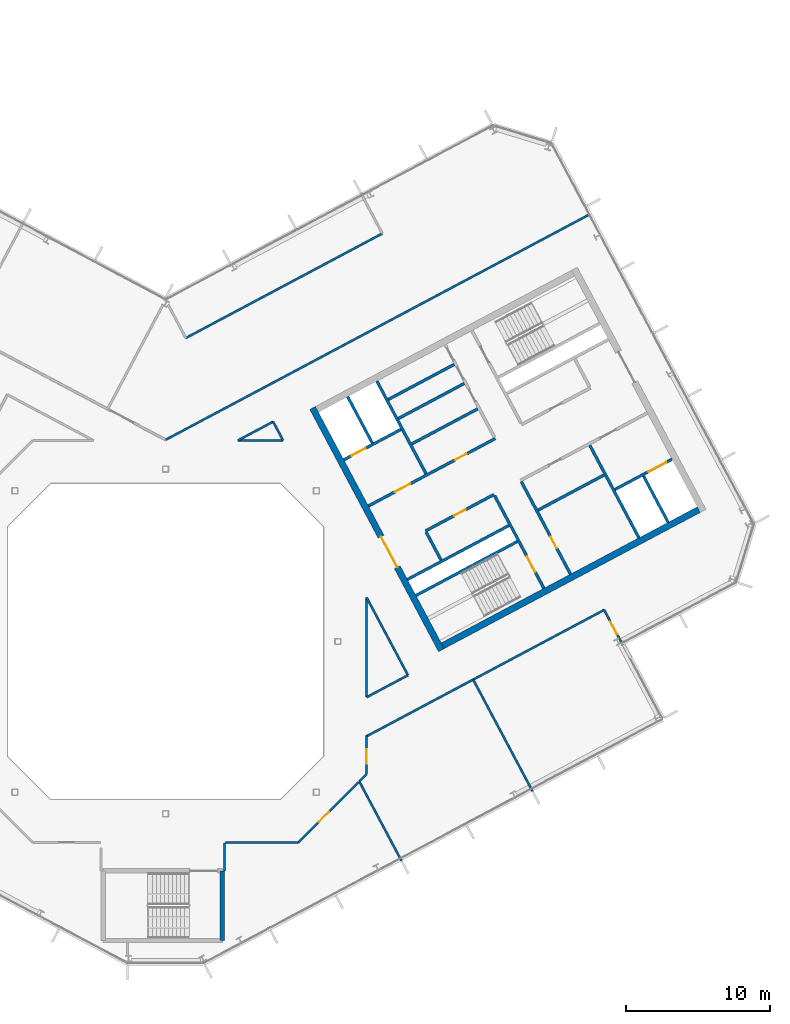
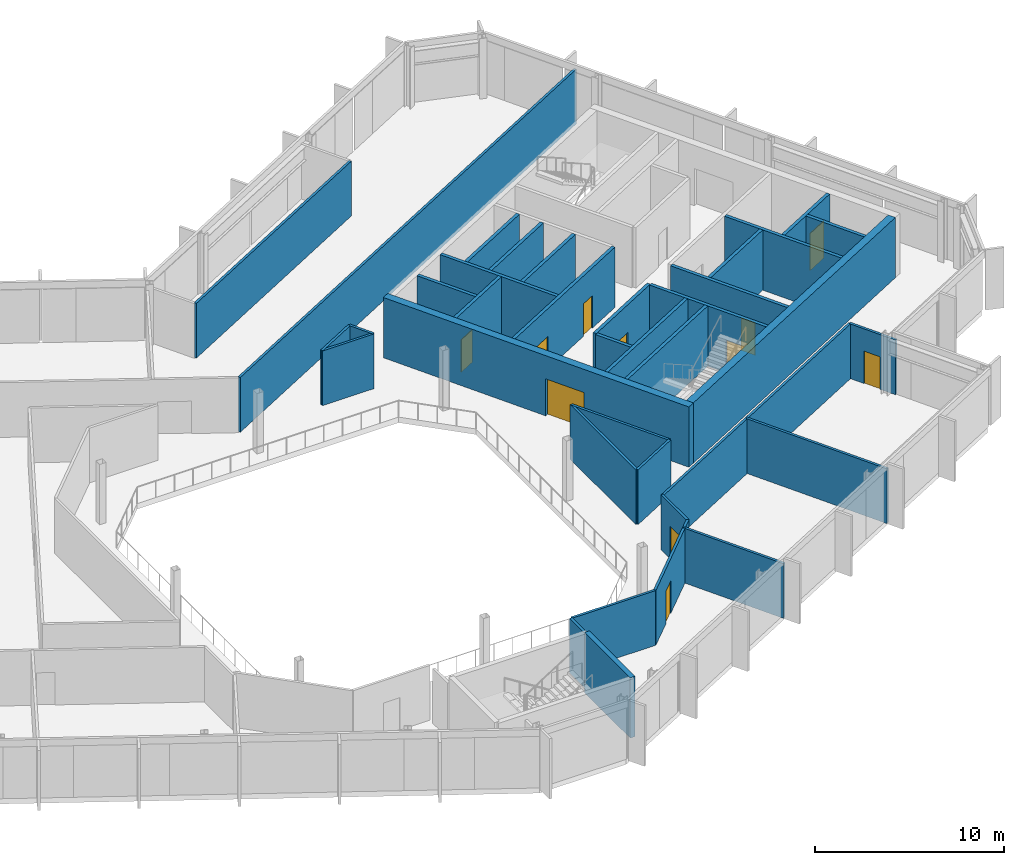
# One storey, part 15 of 25: 37 walls, 11 doors, 11 openings.
"""IFC4 building model written with IfcOpenShell, lengths in metres."""

import ifcopenshell
import ifcopenshell.guid

model = None  # the IFC model being written
_history = None  # IfcOwnerHistory: only IFC2X3 demands one
_inside = {}  # id of a spatial element -> (the spatial element, [elements in it])
_under = {}  # id of a project, library or spatial element -> (it, [spatial elements below it])
_declared = {}  # id of a project -> (the project, [libraries it declares])
_typed = {}  # id of a type object -> (the type object, [elements of that type])
_made_of = {}  # id of a material, layer set ... -> (it, [elements and type objects made of it])


def new_model(schema):
    """Start an empty IFC model of exactly this schema.

    Asked for "IFC4X3", IfcOpenShell would pick the latest addendum, in which some entities
    have other attributes; the version numbers below select the first issue.
    IFC2X3 requires an IfcOwnerHistory on every rooted entity: one is made here for all.
    """
    global model, _history
    if schema == "IFC4X3":
        model = ifcopenshell.file(schema_version=(4, 3, 0, 0))
    else:
        model = ifcopenshell.file(schema=schema)
    _inside.clear()
    _under.clear()
    _declared.clear()
    _typed.clear()
    _made_of.clear()
    _history = None
    if model.schema == "IFC2X3":
        org = make("IfcOrganization", Name="unknown")
        user = make(
            "IfcPersonAndOrganization",
            ThePerson=make("IfcPerson", FamilyName="unknown"),
            TheOrganization=org,
        )
        app = make(
            "IfcApplication",
            ApplicationDeveloper=org,
            Version="unknown",
            ApplicationFullName="unknown",
            ApplicationIdentifier="unknown",
        )
        _history = make(
            "IfcOwnerHistory",
            OwningUser=user,
            OwningApplication=app,
            ChangeAction="ADDED",
            CreationDate=0,
        )
    return model


def make(cls, **values):
    """One entity of the class cls with the attributes given. An attribute that is None is left unset."""
    return model.create_entity(
        cls, **{name: value for name, value in values.items() if value is not None}
    )


def rooted(cls, **values):
    """An entity with a GlobalId (a new one), such as an element, a storey or a relation."""
    return make(cls, GlobalId=ifcopenshell.guid.new(), OwnerHistory=_history, **values)


def si_unit(unit_type, name, prefix=None):
    """IfcSIUnit, for example si_unit("LENGTHUNIT", "METRE", prefix="MILLI")."""
    return make("IfcSIUnit", UnitType=unit_type, Prefix=prefix, Name=name)


def assignment(units):
    """IfcUnitAssignment: the units of a project."""
    return None if units is None else make("IfcUnitAssignment", Units=units)


def point(xyz):
    """IfcCartesianPoint."""
    return None if xyz is None else make("IfcCartesianPoint", Coordinates=xyz)


def direction(xyz):
    """IfcDirection."""
    return None if xyz is None else make("IfcDirection", DirectionRatios=xyz)


def frame(location, z_axis=None, x_axis=None):
    """IfcAxis2Placement3D, a coordinate frame: its origin and axes. An axis left out is left unset."""
    return make(
        "IfcAxis2Placement3D",
        Location=point(location),
        Axis=direction(z_axis),
        RefDirection=direction(x_axis),
    )


def frame_2d(location, x_axis=None):
    """IfcAxis2Placement2D, a coordinate frame in the plane: its origin and x axis."""
    return make(
        "IfcAxis2Placement2D", Location=point(location), RefDirection=direction(x_axis)
    )


def origin():
    """The frame at (0, 0, 0) with its axes left unset."""
    return frame((0.0, 0.0, 0.0))


def place(relative_to, where):
    """IfcLocalPlacement: puts the frame where relative to a parent placement (None: the world)."""
    return make(
        "IfcLocalPlacement", PlacementRelTo=relative_to, RelativePlacement=where
    )


def context(
    kind, dimensions, precision=None, world=None, true_north=None, identifier=None
):
    """IfcGeometricRepresentationContext, for example the 3D "Model" context."""
    return make(
        "IfcGeometricRepresentationContext",
        ContextIdentifier=identifier,
        ContextType=kind,
        CoordinateSpaceDimension=dimensions,
        Precision=precision,
        WorldCoordinateSystem=world,
        TrueNorth=true_north,
    )


def subcontext(parent, identifier, kind, view, scale=None):
    """IfcGeometricRepresentationSubContext, for example "Body" below "Model"."""
    return make(
        "IfcGeometricRepresentationSubContext",
        ContextIdentifier=identifier,
        ContextType=kind,
        ParentContext=parent,
        TargetScale=scale,
        TargetView=view,
    )


def project(units=None, contexts=None):
    """IfcProject with its units and contexts."""
    return rooted(
        "IfcProject",
        Name="project",
        RepresentationContexts=contexts,
        UnitsInContext=assignment(units),
    )


def spatial(cls, under=None, at=None, **own):
    """A site, building, storey or space (cls), placed at a placement, below another one or the project."""
    s = rooted(cls, ObjectPlacement=at, **own)
    if under is not None:
        _under.setdefault(under.id(), (under, []))[1].append(s)
    return s


def profile(cls, at=None, kind="AREA", **sizes):
    """A parametric profile (cls). Its sizes go by their IFC names, for example OverallWidth=200.0."""
    return make(cls, ProfileType=kind, Position=at, **sizes)


def rectangle(**sizes):
    """IfcRectangleProfileDef."""
    return profile("IfcRectangleProfileDef", **sizes)


def extrude(swept, where, along, depth):
    """IfcExtrudedAreaSolid: the profile swept, set in the frame where, extruded along a direction by depth."""
    return make(
        "IfcExtrudedAreaSolid",
        SweptArea=swept,
        Position=where,
        ExtrudedDirection=direction(along),
        Depth=depth,
    )


def shape(context_of_items, identifier, shape_type, items):
    """IfcShapeRepresentation: the items that make up one representation, for example the "Body"."""
    return make(
        "IfcShapeRepresentation",
        ContextOfItems=context_of_items,
        RepresentationIdentifier=identifier,
        RepresentationType=shape_type,
        Items=items,
    )


def material(Name=None, Category=None):
    """IfcMaterial."""
    return make("IfcMaterial", Name=Name, Category=Category)


def layer(
    of_material, thickness, ventilated=None, Name=None, Category=None, Priority=None
):
    """IfcMaterialLayer: one layer of a wall or slab, of a material (None: an air gap)."""
    return make(
        "IfcMaterialLayer",
        Material=of_material,
        LayerThickness=thickness,
        IsVentilated=ventilated,
        Name=Name,
        Category=Category,
        Priority=Priority,
    )


def layer_set(layers, Name=None):
    """IfcMaterialLayerSet."""
    return make("IfcMaterialLayerSet", MaterialLayers=layers, LayerSetName=Name)


def made_of(thing, what):
    """Note that an element or type object is made of a material, layer set ...; save() writes the relation."""
    if what is not None:
        _made_of.setdefault(what.id(), (what, []))[1].append(thing)
    return thing


def type_object(cls, material=None, **own):
    """A type object (cls), such as IfcWallType, which elements share."""
    return made_of(rooted(cls, **own), material)


def element(
    cls,
    number,
    at=None,
    inside=None,
    cuts=None,
    type_object=None,
    material=None,
    context=None,
    identifier="Body",
    shape_type=None,
    held_by="IfcProductDefinitionShape",
    body=None,
    shapes=None,
    **own,
):
    """One element of the class cls, such as IfcWall. Its Tag is "e" and its number.

    at: its placement. inside: the storey or other place that contains it. cuts: it is an
    opening in that element (IfcRelVoidsElement). A single representation is given by context,
    identifier, shape_type and body (its items); several are given by shapes. held_by: the class
    of the entity that holds the representations. save() writes the other relations.
    """
    e = rooted(cls, Tag="e%d" % number, ObjectPlacement=at, **own)
    if body is not None:
        shapes = [shape(context, identifier, shape_type, body)]
    if shapes is not None:
        e.Representation = make(held_by, Representations=shapes)
    if inside is not None:
        _inside.setdefault(inside.id(), (inside, []))[1].append(e)
    if cuts is not None:
        rooted(
            "IfcRelVoidsElement", RelatingBuildingElement=cuts, RelatedOpeningElement=e
        )
    if type_object is not None:
        _typed.setdefault(type_object.id(), (type_object, []))[1].append(e)
    return made_of(e, material)


def fill(opening, filler):
    """IfcRelFillsElement: the door or window that sits in an opening."""
    return rooted(
        "IfcRelFillsElement",
        RelatingOpeningElement=opening,
        RelatedBuildingElement=filler,
    )


def aggregate(whole, parts):
    """IfcRelAggregates: a whole, such as a stair, and the parts it consists of."""
    return rooted("IfcRelAggregates", RelatingObject=whole, RelatedObjects=parts)


def save(model, path):
    """Write the relations noted so far, then the file.

    IfcRelAggregates (storeys below a building ...), IfcRelContainedInSpatialStructure (elements
    in a storey), IfcRelDefinesByType, IfcRelAssociatesMaterial and IfcRelDeclares: one each for
    every whole, place, type object, material and project.
    """
    for whole, parts in _under.values():
        aggregate(whole, parts)
    for where, things in _inside.values():
        rooted(
            "IfcRelContainedInSpatialStructure",
            RelatedElements=things,
            RelatingStructure=where,
        )
    for kind, things in _typed.values():
        rooted("IfcRelDefinesByType", RelatedObjects=things, RelatingType=kind)
    for what, things in _made_of.values():
        rooted("IfcRelAssociatesMaterial", RelatedObjects=things, RelatingMaterial=what)
    for by, libraries in _declared.values():
        rooted("IfcRelDeclares", RelatingContext=by, RelatedDefinitions=libraries)
    model.write(path)


model = new_model("IFC4")

# Units and contexts
model_context = context("Model", 3, precision=1e-05, world=origin(), true_north=direction((0.0, 1.0)))
body_context = subcontext(model_context, "Body", "Model", "MODEL_VIEW")
ifc_project = project(units=[si_unit("LENGTHUNIT", "METRE"), si_unit("AREAUNIT", "SQUARE_METRE"), si_unit("VOLUMEUNIT", "CUBIC_METRE"), si_unit("PLANEANGLEUNIT", "RADIAN"), si_unit("MASSUNIT", "GRAM", prefix="KILO")], contexts=[model_context])

# Site, building, storey
site_placement = place(None, origin())
site = spatial("IfcSite", under=ifc_project, at=site_placement, CompositionType="ELEMENT")
building_placement = place(site_placement, origin())
building = spatial("IfcBuilding", under=site, at=building_placement, Name="Cormorant Relay Tower", CompositionType="ELEMENT")
storey_placement = place(building_placement, frame((0.0, 0.0, 265.800048828125)))
storey = spatial("IfcBuildingStorey", under=building, at=storey_placement, Name="L59", CompositionType="ELEMENT", Elevation=265.800048828125)

# Walls
ifc_material_1 = material(Name="Concrete 40 MPa", Category="concrete")
ifc_layer_1 = layer(ifc_material_1, 0.199951171875)
ifc_layer_set_1 = layer_set([ifc_layer_1], Name="Core internal wall 200")
wall_type_1 = type_object("IfcWallType", Name="Core internal wall 200", PredefinedType="SOLIDWALL", material=ifc_layer_set_1)
for number, where, z_axis, x_axis, name in (
    (1, (16.2080078125, 15.526611328125, 0.0), (0.0, 0.0, 1.0), (0.882953967957, 0.469459572775, 0.0), "L59 core B shaft and room wall"),
    (2, (15.503662109375, 16.85107421875, 0.0), (0.0, 0.0, 1.0), (0.882953967957, 0.469459572775, 0.0), "L59 core B shaft and room wall"),
):
    element("IfcWall", number, at=place(storey_placement, frame(where, z_axis=z_axis, x_axis=x_axis)), inside=storey, type_object=wall_type_1, Name=name, PredefinedType="SOLIDWALL", context=body_context, shape_type="SweptSolid", body=[
        extrude(rectangle(XDim=5.199951171875, YDim=0.199951171875, at=frame_2d((2.60009765625, 0.0))), origin(), (0.0, 0.0, 1.0), 3.89990234375),
    ])
ifc_material_2 = material(Name="Concrete 50 MPa", Category="concrete")
ifc_layer_2 = layer(ifc_material_2, 0.199951171875)
ifc_layer_set_2 = layer_set([ifc_layer_2], Name="Core shaft wall 200")
wall_type_2 = type_object("IfcWallType", Name="Core shaft wall 200", PredefinedType="SHEAR", material=ifc_layer_set_2)
wall_1_placement = place(storey_placement, frame((14.39404296875, 13.825927734375, 0.0), z_axis=(0.0, 0.0, 1.0), x_axis=(-0.469494272526, 0.882935517501, 0.0)))
element("IfcWall", 3, at=wall_1_placement, inside=storey, type_object=wall_type_2, Name="L59 core B shaft wall", PredefinedType="SHEAR", context=body_context, shape_type="SweptSolid", body=[
    extrude(rectangle(XDim=3.64990234375, YDim=0.199951171875, at=frame_2d((1.824951171875, 0.0))), origin(), (0.0, 0.0, 1.0), 3.89990234375),
])
wall_2_placement = place(storey_placement, frame((19.18359375, 5.669921875, 0.0), z_axis=(0.0, 0.0, 1.0), x_axis=(-0.4694473164, 0.882960484464, 0.0)))
element("IfcWall", 4, at=wall_2_placement, inside=storey, type_object=wall_type_2, Name="L59 core B shaft wall", PredefinedType="SHEAR", context=body_context, shape_type="SweptSolid", body=[
    extrude(rectangle(XDim=2.199951171875, YDim=0.199951171875, at=frame_2d((1.10009765625, 0.0))), origin(), (0.0, 0.0, 1.0), 3.89990234375),
])
wall_3_placement = place(storey_placement, frame((18.138427734375, 11.682861328125, 0.0), z_axis=(0.0, 0.0, 1.0), x_axis=(-0.469480409012, 0.88294288918, 0.0)))
element("IfcWall", 5, at=wall_3_placement, inside=storey, type_object=wall_type_2, Name="L59 core B shaft wall", PredefinedType="SHEAR", context=body_context, shape_type="SweptSolid", body=[
    extrude(rectangle(XDim=7.300048828125, YDim=0.199951171875, at=frame_2d((3.64990234375, 0.0))), origin(), (0.0, 0.0, 1.0), 3.89990234375),
])

# Wall, opening, door
wall_4_placement = place(storey_placement, frame((26.345947265625, 3.701904296875, 0.0), z_axis=(0.0, 0.0, 1.0), x_axis=(-0.469480409012, 0.88294288918, 0.0)))
wall_4 = element("IfcWall", 6, at=wall_4_placement, inside=storey, type_object=wall_type_2, Name="L59 core B shaft wall", PredefinedType="SHEAR", context=body_context, shape_type="SweptSolid", body=[
    extrude(rectangle(XDim=7.300048828125, YDim=0.199951171875, at=frame_2d((3.64990234375, 0.0))), origin(), (0.0, 0.0, 1.0), 3.89990234375),
])
opening_1_placement = place(wall_4_placement, frame((1.300048828125, 0.0, 0.0)))
opening_1 = element("IfcOpeningElement", 7, at=opening_1_placement, cuts=wall_4, Name="Opening CDB-040", PredefinedType="OPENING", context=body_context, shape_type="SweptSolid", body=[
    extrude(rectangle(XDim=1.199951171875, YDim=2.10009765625, at=frame_2d((0.60009765625, 1.050048828125))), frame((0.0, 0.10986328125, 0.0), z_axis=(0.0, -1.0, 0.0), x_axis=(1.0, 0.0, 0.0)), (0.0, 0.0, 1.0), 0.219970703125),
])
ifc_material_3 = material(Name="Steel fire door", Category="steel")
door_type_1 = type_object("IfcDoorType", Name="Core stair door 1200x2100", OperationType="SINGLE_SWING_LEFT", PredefinedType="DOOR", material=ifc_material_3)
door_1_placement = place(opening_1_placement, origin())
door_1 = element("IfcDoor", 8, at=door_1_placement, inside=storey, type_object=door_type_1, Name="Core stair door 1200x2100", OperationType="SINGLE_SWING_RIGHT", OverallHeight=2.10009765625, OverallWidth=1.199951171875, PredefinedType="DOOR", context=body_context, shape_type="SweptSolid", body=[
    extrude(rectangle(XDim=1.199951171875, YDim=2.10009765625, at=frame_2d((0.60009765625, 1.050048828125))), frame((0.0, 0.02490234375, 0.0), z_axis=(0.0, -1.0, 0.0), x_axis=(1.0, 0.0, 0.0)), (0.0, 0.0, 1.0), 0.050048828125),
])
fill(opening_1, door_1)

wall_5_placement = place(storey_placement, frame((28.199951171875, 4.687744140625, 0.0), z_axis=(0.0, 0.0, 1.0), x_axis=(-0.469454336211, 0.882956752176, 0.0)))
wall_5 = element("IfcWall", 9, at=wall_5_placement, inside=storey, type_object=wall_type_2, Name="L59 core B shaft wall", PredefinedType="SHEAR", context=body_context, shape_type="SweptSolid", body=[
    extrude(rectangle(XDim=7.300048828125, YDim=0.199951171875, at=frame_2d((3.64990234375, 0.0))), origin(), (0.0, 0.0, 1.0), 3.89990234375),
])
opening_2_placement = place(wall_5_placement, frame((2.050048828125, 0.0, 0.0)))
opening_2 = element("IfcOpeningElement", 10, at=opening_2_placement, cuts=wall_5, Name="Opening CDD-317", PredefinedType="OPENING", context=body_context, shape_type="SweptSolid", body=[
    extrude(rectangle(XDim=0.89990234375, YDim=2.10009765625, at=frame_2d((0.449951171875, 1.050048828125))), frame((0.0, 0.10986328125, 0.0), z_axis=(0.0, -1.0, 0.0), x_axis=(1.0, 0.0, 0.0)), (0.0, 0.0, 1.0), 0.219970703125),
])
ifc_material_4 = material(Name="Steel fire door", Category="steel")
door_type_2 = type_object("IfcDoorType", Name="Core room door 900x2100", OperationType="SINGLE_SWING_LEFT", PredefinedType="DOOR", material=ifc_material_4)
door_2_placement = place(opening_2_placement, frame((0.89990234375, 0.0, 0.0), z_axis=(0.0, 0.0, 1.0), x_axis=(-1.0, 0.0, 0.0)))
door_2 = element("IfcDoor", 11, at=door_2_placement, inside=storey, type_object=door_type_2, Name="Core room door 900x2100", OperationType="SINGLE_SWING_LEFT", OverallHeight=2.10009765625, OverallWidth=0.89990234375, PredefinedType="DOOR", context=body_context, shape_type="SweptSolid", body=[
    extrude(rectangle(XDim=0.89990234375, YDim=2.10009765625, at=frame_2d((0.449951171875, 1.050048828125))), frame((0.0, 0.02490234375, 0.0), z_axis=(0.0, -1.0, 0.0), x_axis=(1.0, 0.0, 0.0)), (0.0, 0.0, 1.0), 0.050048828125),
])
fill(opening_2, door_2)

# Walls
wall_6_placement = place(storey_placement, frame((32.968017578125, 7.222900390625, 0.0), z_axis=(0.0, 0.0, 1.0), x_axis=(-0.469480409012, 0.88294288918, 0.0)))
element("IfcWall", 12, at=wall_6_placement, inside=storey, type_object=wall_type_2, Name="L59 core B shaft wall", PredefinedType="SHEAR", context=body_context, shape_type="SweptSolid", body=[
    extrude(rectangle(XDim=7.300048828125, YDim=0.199951171875, at=frame_2d((3.64990234375, 0.0))), origin(), (0.0, 0.0, 1.0), 3.89990234375),
])
wall_7_placement = place(storey_placement, frame((34.998779296875, 8.302734375, 0.0), z_axis=(0.0, 0.0, 1.0), x_axis=(-0.4694665462, 0.882950260207, 0.0)))
element("IfcWall", 13, at=wall_7_placement, inside=storey, type_object=wall_type_2, Name="L59 core B shaft wall", PredefinedType="SHEAR", context=body_context, shape_type="SweptSolid", body=[
    extrude(rectangle(XDim=3.650146484375, YDim=0.199951171875, at=frame_2d((1.8251953125, 0.0))), origin(), (0.0, 0.0, 1.0), 3.89990234375),
])
wall_8_placement = place(storey_placement, frame((17.43359375, 3.210205078125, 0.0), z_axis=(0.0, 0.0, 1.0), x_axis=(0.882940221191, 0.469485426614, 0.0)))
element("IfcWall", 14, at=wall_8_placement, inside=storey, type_object=wall_type_2, Name="L59 core B shaft wall", PredefinedType="SHEAR", context=body_context, shape_type="SweptSolid", body=[
    extrude(rectangle(XDim=8.0, YDim=0.199951171875, at=frame_2d((4.0, 0.0))), origin(), (0.0, 0.0, 1.0), 3.89990234375),
])

# Wall, opening, door
wall_9_placement = place(storey_placement, frame((31.295654296875, 10.5810546875, 0.0), z_axis=(0.0, 0.0, 1.0), x_axis=(0.882960433586, 0.469447412093, 0.0)))
wall_9 = element("IfcWall", 15, at=wall_9_placement, inside=storey, type_object=wall_type_2, Name="L59 core B shaft wall", PredefinedType="SHEAR", context=body_context, shape_type="SweptSolid", body=[
    extrude(rectangle(XDim=4.5, YDim=0.199951171875, at=frame_2d((2.25, 0.0))), origin(), (0.0, 0.0, 1.0), 3.89990234375),
])
opening_3_placement = place(wall_9_placement, frame((2.64990234375, 0.0, 0.0)))
opening_3 = element("IfcOpeningElement", 16, at=opening_3_placement, cuts=wall_9, Name="Opening LD3-016", PredefinedType="OPENING", context=body_context, shape_type="SweptSolid", body=[
    extrude(rectangle(XDim=1.39990234375, YDim=2.39990234375, at=frame_2d((0.699951171875, 1.199951171875))), frame((0.0, 0.10986328125, 0.0), z_axis=(0.0, -1.0, 0.0), x_axis=(1.0, 0.0, 0.0)), (0.0, 0.0, 1.0), 0.219970703125),
])
ifc_material_5 = material(Name="Stainless steel 316", Category="steel")
door_type_3 = type_object("IfcDoorType", Name="Lift landing door 1400x2400", OperationType="DOUBLE_DOOR_SLIDING", PredefinedType="DOOR", material=ifc_material_5)
door_3_placement = place(opening_3_placement, origin())
door_3 = element("IfcDoor", 17, at=door_3_placement, inside=storey, type_object=door_type_3, Name="SV2 landing door", OperationType="DOUBLE_DOOR_SLIDING", OverallHeight=2.39990234375, OverallWidth=1.39990234375, PredefinedType="DOOR", context=body_context, shape_type="SweptSolid", body=[
    extrude(rectangle(XDim=1.39990234375, YDim=2.39990234375, at=frame_2d((0.699951171875, 1.199951171875))), frame((0.0, 0.02490234375, 0.0), z_axis=(0.0, -1.0, 0.0), x_axis=(1.0, 0.0, 0.0)), (0.0, 0.0, 1.0), 0.050048828125),
])
fill(opening_3, door_3)

# Walls
wall_10_placement = place(storey_placement, frame((16.8466796875, 4.31396484375, 0.0), z_axis=(0.0, 0.0, 1.0), x_axis=(0.882940221191, 0.469485426614, 0.0)))
element("IfcWall", 18, at=wall_10_placement, inside=storey, type_object=wall_type_2, Name="L59 core B shaft wall", PredefinedType="SHEAR", context=body_context, shape_type="SweptSolid", body=[
    extrude(rectangle(XDim=8.0, YDim=0.199951171875, at=frame_2d((4.0, 0.0))), origin(), (0.0, 0.0, 1.0), 3.89990234375),
])
wall_11_placement = place(storey_placement, frame((25.94091796875, 9.149658203125, 0.0), z_axis=(0.0, 0.0, 1.0), x_axis=(0.882953967957, 0.469459572775, 0.0)))
element("IfcWall", 19, at=wall_11_placement, inside=storey, type_object=wall_type_2, Name="L59 core B shaft wall", PredefinedType="SHEAR", context=body_context, shape_type="SweptSolid", body=[
    extrude(rectangle(XDim=5.199951171875, YDim=0.199951171875, at=frame_2d((2.60009765625, 0.0))), origin(), (0.0, 0.0, 1.0), 3.89990234375),
])

# Wall, opening, door
wall_12_placement = place(storey_placement, frame((18.103759765625, 7.70068359375, 0.0), z_axis=(0.0, 0.0, 1.0), x_axis=(0.882952937579, 0.469461510692, 0.0)))
wall_12 = element("IfcWall", 20, at=wall_12_placement, inside=storey, type_object=wall_type_2, Name="L59 core B shaft wall", PredefinedType="SHEAR", context=body_context, shape_type="SweptSolid", body=[
    extrude(rectangle(XDim=5.400146484375, YDim=0.199951171875, at=frame_2d((2.7001953125, 0.0))), origin(), (0.0, 0.0, 1.0), 3.89990234375),
])
opening_4_placement = place(wall_12_placement, frame((2.25, 0.0, 0.0)))
opening_4 = element("IfcOpeningElement", 21, at=opening_4_placement, cuts=wall_12, Name="Opening CDD-262", PredefinedType="OPENING", context=body_context, shape_type="SweptSolid", body=[
    extrude(rectangle(XDim=0.89990234375, YDim=2.10009765625, at=frame_2d((0.449951171875, 1.050048828125))), frame((0.0, 0.10986328125, 0.0), z_axis=(0.0, -1.0, 0.0), x_axis=(1.0, 0.0, 0.0)), (0.0, 0.0, 1.0), 0.219970703125),
])
door_4_placement = place(opening_4_placement, frame((0.89990234375, 0.0, 0.0), z_axis=(0.0, 0.0, 1.0), x_axis=(-1.0, 0.0, 0.0)))
door_4 = element("IfcDoor", 22, at=door_4_placement, inside=storey, type_object=door_type_2, Name="Core room door 900x2100", OperationType="SINGLE_SWING_RIGHT", OverallHeight=2.10009765625, OverallWidth=0.89990234375, PredefinedType="DOOR", context=body_context, shape_type="SweptSolid", body=[
    extrude(rectangle(XDim=0.89990234375, YDim=2.10009765625, at=frame_2d((0.449951171875, 1.050048828125))), frame((0.0, 0.02490234375, 0.0), z_axis=(0.0, -1.0, 0.0), x_axis=(1.0, 0.0, 0.0)), (0.0, 0.0, 1.0), 0.050048828125),
])
fill(opening_4, door_4)

# Wall, openings, doors
wall_13_placement = place(storey_placement, frame((14.123779296875, 9.43505859375, 0.0), z_axis=(0.0, 0.0, 1.0), x_axis=(0.882940221191, 0.469485426614, 0.0)))
wall_13 = element("IfcWall", 23, at=wall_13_placement, inside=storey, type_object=wall_type_2, Name="L59 core B shaft wall", PredefinedType="SHEAR", context=body_context, shape_type="SweptSolid", body=[
    extrude(rectangle(XDim=10.0, YDim=0.199951171875, at=frame_2d((5.0, 0.0))), origin(), (0.0, 0.0, 1.0), 3.89990234375),
])
opening_5_placement = place(wall_13_placement, frame((2.10009765625, 0.0, 0.0)))
opening_5 = element("IfcOpeningElement", 24, at=opening_5_placement, cuts=wall_13, Name="Opening CDC-037", PredefinedType="OPENING", context=body_context, shape_type="SweptSolid", body=[
    extrude(rectangle(XDim=1.199951171875, YDim=2.10009765625, at=frame_2d((0.60009765625, 1.050048828125))), frame((0.0, 0.10986328125, 0.0), z_axis=(0.0, -1.0, 0.0), x_axis=(1.0, 0.0, 0.0)), (0.0, 0.0, 1.0), 0.219970703125),
])
opening_6_placement = place(wall_13_placement, frame((6.85009765625, 0.0, 0.0)))
opening_6 = element("IfcOpeningElement", 25, at=opening_6_placement, cuts=wall_13, Name="Opening CDD-260", PredefinedType="OPENING", context=body_context, shape_type="SweptSolid", body=[
    extrude(rectangle(XDim=0.89990234375, YDim=2.10009765625, at=frame_2d((0.449951171875, 1.050048828125))), frame((0.0, 0.10986328125, 0.0), z_axis=(0.0, -1.0, 0.0), x_axis=(1.0, 0.0, 0.0)), (0.0, 0.0, 1.0), 0.219970703125),
])
ifc_material_6 = material(Name="Steel fire door", Category="steel")
door_type_4 = type_object("IfcDoorType", Name="Core lobby door 1200x2100", OperationType="SINGLE_SWING_LEFT", PredefinedType="DOOR", material=ifc_material_6)
door_5_placement = place(opening_5_placement, origin())
door_5 = element("IfcDoor", 26, at=door_5_placement, inside=storey, type_object=door_type_4, Name="Core lobby door 1200x2100", OperationType="SINGLE_SWING_RIGHT", OverallHeight=2.10009765625, OverallWidth=1.199951171875, PredefinedType="DOOR", context=body_context, shape_type="SweptSolid", body=[
    extrude(rectangle(XDim=1.199951171875, YDim=2.10009765625, at=frame_2d((0.60009765625, 1.050048828125))), frame((0.0, 0.02490234375, 0.0), z_axis=(0.0, -1.0, 0.0), x_axis=(1.0, 0.0, 0.0)), (0.0, 0.0, 1.0), 0.050048828125),
])
fill(opening_5, door_5)
door_6_placement = place(opening_6_placement, origin())
door_6 = element("IfcDoor", 27, at=door_6_placement, inside=storey, type_object=door_type_2, Name="Core room door 900x2100", OperationType="SINGLE_SWING_LEFT", OverallHeight=2.10009765625, OverallWidth=0.89990234375, PredefinedType="DOOR", context=body_context, shape_type="SweptSolid", body=[
    extrude(rectangle(XDim=0.89990234375, YDim=2.10009765625, at=frame_2d((0.449951171875, 1.050048828125))), frame((0.0, 0.02490234375, 0.0), z_axis=(0.0, -1.0, 0.0), x_axis=(1.0, 0.0, 0.0)), (0.0, 0.0, 1.0), 0.050048828125),
])
fill(opening_6, door_6)

# Wall
wall_14_placement = place(storey_placement, frame((17.146728515625, 13.7607421875, 0.0), z_axis=(0.0, 0.0, 1.0), x_axis=(0.882964314875, 0.469440111896, 0.0)))
element("IfcWall", 28, at=wall_14_placement, inside=storey, type_object=wall_type_2, Name="L59 core B shaft wall", PredefinedType="SHEAR", context=body_context, shape_type="SweptSolid", body=[
    extrude(rectangle(XDim=5.2001953125, YDim=0.199951171875, at=frame_2d((2.60009765625, 0.0))), origin(), (0.0, 0.0, 1.0), 3.89990234375),
])

# Wall, opening, door
wall_15_placement = place(storey_placement, frame((12.41015625, 12.657958984375, 0.0), z_axis=(0.0, 0.0, 1.0), x_axis=(0.8829484765, 0.469469900894, 0.0)))
wall_15 = element("IfcWall", 29, at=wall_15_placement, inside=storey, type_object=wall_type_2, Name="L59 core B shaft wall", PredefinedType="SHEAR", context=body_context, shape_type="SweptSolid", body=[
    extrude(rectangle(XDim=4.499755859375, YDim=0.199951171875, at=frame_2d((2.25, 0.0))), origin(), (0.0, 0.0, 1.0), 3.89990234375),
])
opening_7_placement = place(wall_15_placement, frame((0.60009765625, 0.0, 0.0)))
opening_7 = element("IfcOpeningElement", 30, at=opening_7_placement, cuts=wall_15, Name="Opening LD1-064", PredefinedType="OPENING", context=body_context, shape_type="SweptSolid", body=[
    extrude(rectangle(XDim=1.10009765625, YDim=2.10009765625, at=frame_2d((0.550048828125, 1.050048828125))), frame((0.0, 0.10986328125, 0.0), z_axis=(0.0, -1.0, 0.0), x_axis=(1.0, 0.0, 0.0)), (0.0, 0.0, 1.0), 0.219970703125),
])
ifc_material_7 = material(Name="Stainless steel 316", Category="steel")
door_type_5 = type_object("IfcDoorType", Name="Lift landing door 1100x2100", OperationType="DOUBLE_DOOR_SLIDING", PredefinedType="DOOR", material=ifc_material_7)
door_7_placement = place(opening_7_placement, origin())
door_7 = element("IfcDoor", 31, at=door_7_placement, inside=storey, type_object=door_type_5, Name="FF2 landing door", OperationType="DOUBLE_DOOR_SLIDING", OverallHeight=2.10009765625, OverallWidth=1.10009765625, PredefinedType="DOOR", context=body_context, shape_type="SweptSolid", body=[
    extrude(rectangle(XDim=1.10009765625, YDim=2.10009765625, at=frame_2d((0.550048828125, 1.050048828125))), frame((0.0, 0.02490234375, 0.0), z_axis=(0.0, -1.0, 0.0), x_axis=(1.0, 0.0, 0.0)), (0.0, 0.0, 1.0), 0.050048828125),
])
fill(opening_7, door_7)

ifc_material_8 = material(Name="Concrete 50 MPa", Category="concrete")
ifc_layer_3 = layer(ifc_material_8, 0.449951171875)
ifc_layer_set_3 = layer_set([ifc_layer_3], Name="Core wall 450")
wall_type_3 = type_object("IfcWallType", Name="Core wall 450", PredefinedType="SHEAR", material=ifc_layer_set_3)
wall_16_placement = place(storey_placement, frame((19.20654296875, -0.603759765625, 0.0), z_axis=(0.0, 0.0, 1.0), x_axis=(-0.469467968382, 0.882949504028, 0.0)))
wall_16 = element("IfcWall", 32, at=wall_16_placement, inside=storey, type_object=wall_type_3, Name="L59 core B wall", PredefinedType="SHEAR", context=body_context, shape_type="SweptSolid", body=[
    extrude(rectangle(XDim=19.099853515625, YDim=0.449951171875, at=frame_2d((9.5498046875, 0.0))), origin(), (0.0, 0.0, 1.0), 3.89990234375),
])
opening_8_placement = place(wall_16_placement, frame((6.550048828125, 0.0, 0.0)))
opening_8 = element("IfcOpeningElement", 33, at=opening_8_placement, cuts=wall_16, Name="Opening CDA-055", PredefinedType="OPENING", context=body_context, shape_type="SweptSolid", body=[
    extrude(rectangle(XDim=2.39990234375, YDim=2.39990234375, at=frame_2d((1.199951171875, 1.199951171875))), frame((0.0, 0.23486328125, 0.0), z_axis=(0.0, -1.0, 0.0), x_axis=(1.0, 0.0, 0.0)), (0.0, 0.0, 1.0), 0.469970703125),
])
ifc_material_9 = material(Name="Steel fire door", Category="steel")
door_type_6 = type_object("IfcDoorType", Name="Core lobby door 2400x2400", OperationType="DOUBLE_DOOR_SINGLE_SWING", PredefinedType="DOOR", material=ifc_material_9)
door_8_placement = place(opening_8_placement, origin())
door_8 = element("IfcDoor", 34, at=door_8_placement, inside=storey, type_object=door_type_6, Name="Core lobby door 2400x2400", OperationType="DOUBLE_DOOR_SINGLE_SWING", OverallHeight=2.39990234375, OverallWidth=2.39990234375, PredefinedType="DOOR", context=body_context, shape_type="SweptSolid", body=[
    extrude(rectangle(XDim=2.39990234375, YDim=2.39990234375, at=frame_2d((1.199951171875, 1.199951171875))), frame((0.0, 0.02490234375, 0.0), z_axis=(0.0, -1.0, 0.0), x_axis=(1.0, 0.0, 0.0)), (0.0, 0.0, 1.0), 0.050048828125),
])
fill(opening_8, door_8)

# Walls
wall_17_placement = place(storey_placement, frame((19.299560546875, -0.29931640625, 0.0), z_axis=(0.0, 0.0, 1.0), x_axis=(0.88295276571, 0.46946183394, 0.0)))
element("IfcWall", 35, at=wall_17_placement, inside=storey, type_object=wall_type_3, Name="L59 core B wall", PredefinedType="SHEAR", context=body_context, shape_type="SweptSolid", body=[
    extrude(rectangle(XDim=20.199951171875, YDim=0.449951171875, at=frame_2d((10.10009765625, 0.0))), origin(), (0.0, 0.0, 1.0), 3.89990234375),
])
ifc_material_10 = material(Name="Gypsum board fire partition")
ifc_layer_4 = layer(ifc_material_10, 0.14990234375)
ifc_layer_set_4 = layer_set([ifc_layer_4], Name="Corridor partition 150 EI 60")
wall_type_4 = type_object("IfcWallType", Name="Corridor partition 150 EI 60", PredefinedType="PARTITIONING", material=ifc_layer_set_4)
wall_18_placement = place(storey_placement, frame((0.0, 14.0439453125, 0.0), z_axis=(0.0, 0.0, 1.0), x_axis=(0.882952097871, 0.469463089992, 0.0)))
element("IfcWall", 36, at=wall_18_placement, inside=storey, type_object=wall_type_4, Name="wall/L59/part/009", PredefinedType="PARTITIONING", context=body_context, shape_type="SweptSolid", body=[
    extrude(rectangle(XDim=33.606689453125, YDim=0.14990234375, at=frame_2d((16.80322265625, 0.0))), origin(), (0.0, 0.0, 1.0), 3.5400390625),
])
wall_19_placement = place(storey_placement, frame((4.10009765625, -15.97509765625, 0.0), z_axis=(0.0, 0.0, 1.0), x_axis=(0.0, 1.0, 0.0)))
element("IfcWall", 37, at=wall_19_placement, inside=storey, type_object=wall_type_4, Name="wall/L59/part/032", PredefinedType="PARTITIONING", context=body_context, shape_type="SweptSolid", body=[
    extrude(rectangle(XDim=1.95703125, YDim=0.14990234375, at=frame_2d((0.978515625, 0.0))), origin(), (0.0, 0.0, 1.0), 3.5400390625),
])

# Wall, opening, door
wall_20_placement = place(storey_placement, frame((13.428955078125, -9.81396484375, 0.0), z_axis=(0.0, 0.0, 1.0), x_axis=(-0.707106781187, -0.707106781187, 0.0)))
wall_20 = element("IfcWall", 38, at=wall_20_placement, inside=storey, type_object=wall_type_4, Name="wall/L59/part/033", PredefinedType="PARTITIONING", context=body_context, shape_type="SweptSolid", body=[
    extrude(rectangle(XDim=5.919921875, YDim=0.14990234375, at=frame_2d((2.9599609375, 0.0))), origin(), (0.0, 0.0, 1.0), 3.5400390625),
])
opening_9_placement = place(wall_20_placement, frame((2.89990234375, 0.0, 0.0)))
opening_9 = element("IfcOpeningElement", 39, at=opening_9_placement, cuts=wall_20, Name="Opening DS-202", PredefinedType="OPENING", context=body_context, shape_type="SweptSolid", body=[
    extrude(rectangle(XDim=1.0, YDim=2.10009765625, at=frame_2d((0.5, 1.050048828125))), frame((0.0, 0.0849609375, 0.0), z_axis=(0.0, -1.0, 0.0), x_axis=(1.0, 0.0, 0.0)), (0.0, 0.0, 1.0), 0.169921875),
])
ifc_material_11 = material(Name="Timber door leaf", Category="wood")
door_type_7 = type_object("IfcDoorType", Name="Suite door 1000x2100", OperationType="SINGLE_SWING_LEFT", PredefinedType="DOOR", material=ifc_material_11)
door_9_placement = place(opening_9_placement, origin())
door_9 = element("IfcDoor", 40, at=door_9_placement, inside=storey, type_object=door_type_7, Name="door/L59/005", OperationType="SINGLE_SWING_LEFT", OverallHeight=2.10009765625, OverallWidth=1.0, PredefinedType="DOOR", context=body_context, shape_type="SweptSolid", body=[
    extrude(rectangle(XDim=1.0, YDim=2.10009765625, at=frame_2d((0.5, 1.050048828125))), frame((0.0, 0.02490234375, 0.0), z_axis=(0.0, -1.0, 0.0), x_axis=(1.0, 0.0, 0.0)), (0.0, 0.0, 1.0), 0.050048828125),
])
fill(opening_9, door_9)

# Wall
wall_21_placement = place(storey_placement, frame((9.242919921875, -14.0, 0.0), z_axis=(0.0, 0.0, 1.0), x_axis=(-1.0, 0.0, 0.0)))
element("IfcWall", 41, at=wall_21_placement, inside=storey, type_object=wall_type_4, Name="wall/L59/part/034", PredefinedType="PARTITIONING", context=body_context, shape_type="SweptSolid", body=[
    extrude(rectangle(XDim=5.06787109375, YDim=0.14990234375, at=frame_2d((2.533935546875, 0.0))), origin(), (0.0, 0.0, 1.0), 3.5400390625),
])

# Wall, opening, door
wall_22_placement = place(storey_placement, frame((14.0, -6.550048828125, 0.0), z_axis=(0.0, 0.0, 1.0), x_axis=(0.0, -1.0, 0.0)))
wall_22 = element("IfcWall", 42, at=wall_22_placement, inside=storey, type_object=wall_type_4, Name="wall/L59/part/036", PredefinedType="PARTITIONING", context=body_context, shape_type="SweptSolid", body=[
    extrude(rectangle(XDim=2.69287109375, YDim=0.14990234375, at=frame_2d((1.346435546875, 0.0))), origin(), (0.0, 0.0, 1.0), 3.5400390625),
])
opening_10_placement = place(wall_22_placement, frame((0.951904296875, 0.0, 0.0)))
opening_10 = element("IfcOpeningElement", 43, at=opening_10_placement, cuts=wall_22, Name="Opening DS-203", PredefinedType="OPENING", context=body_context, shape_type="SweptSolid", body=[
    extrude(rectangle(XDim=1.0, YDim=2.10009765625, at=frame_2d((0.5, 1.050048828125))), frame((0.0, 0.0849609375, 0.0), z_axis=(0.0, -1.0, 0.0), x_axis=(1.0, 0.0, 0.0)), (0.0, 0.0, 1.0), 0.169921875),
])
door_10_placement = place(opening_10_placement, origin())
door_10 = element("IfcDoor", 44, at=door_10_placement, inside=storey, type_object=door_type_7, Name="door/L59/006", OperationType="SINGLE_SWING_LEFT", OverallHeight=2.10009765625, OverallWidth=1.0, PredefinedType="DOOR", context=body_context, shape_type="SweptSolid", body=[
    extrude(rectangle(XDim=1.0, YDim=2.10009765625, at=frame_2d((0.5, 1.050048828125))), frame((0.0, 0.02490234375, 0.0), z_axis=(0.0, -1.0, 0.0), x_axis=(1.0, 0.0, 0.0)), (0.0, 0.0, 1.0), 0.050048828125),
])
fill(opening_10, door_10)

# Wall
wall_23_placement = place(storey_placement, frame((13.4951171875, -9.748046875, 0.0), z_axis=(0.0, 0.0, 1.0), x_axis=(0.706252478894, 0.707960052585, 0.0)))
element("IfcWall", 45, at=wall_23_placement, inside=storey, type_object=wall_type_4, Name="wall/L59/part/037", PredefinedType="PARTITIONING", context=body_context, shape_type="SweptSolid", body=[
    extrude(rectangle(XDim=0.71484375, YDim=0.14990234375, at=frame_2d((0.357421875, 0.0))), origin(), (0.0, 0.0, 1.0), 3.5400390625),
])

# Wall, opening, door
wall_24_placement = place(storey_placement, frame((31.89697265625, -0.346923828125, 0.0), z_axis=(0.0, 0.0, 1.0), x_axis=(-0.469576437406, 0.882891822045, 0.0)))
wall_24 = element("IfcWall", 46, at=wall_24_placement, inside=storey, type_object=wall_type_4, Name="wall/L59/part/039", PredefinedType="PARTITIONING", context=body_context, shape_type="SweptSolid", body=[
    extrude(rectangle(XDim=2.88134765625, YDim=0.14990234375, at=frame_2d((1.440673828125, 0.0))), origin(), (0.0, 0.0, 1.0), 3.5400390625),
])
opening_11_placement = place(wall_24_placement, frame((0.949951171875, 0.0, 0.0)))
opening_11 = element("IfcOpeningElement", 47, at=opening_11_placement, cuts=wall_24, Name="Opening DS-204", PredefinedType="OPENING", context=body_context, shape_type="SweptSolid", body=[
    extrude(rectangle(XDim=1.0, YDim=2.10009765625, at=frame_2d((0.5, 1.050048828125))), frame((0.0, 0.0849609375, 0.0), z_axis=(0.0, -1.0, 0.0), x_axis=(1.0, 0.0, 0.0)), (0.0, 0.0, 1.0), 0.169921875),
])
door_11_placement = place(opening_11_placement, origin())
door_11 = element("IfcDoor", 48, at=door_11_placement, inside=storey, type_object=door_type_7, Name="door/L59/007", OperationType="SINGLE_SWING_LEFT", OverallHeight=2.10009765625, OverallWidth=1.0, PredefinedType="DOOR", context=body_context, shape_type="SweptSolid", body=[
    extrude(rectangle(XDim=1.0, YDim=2.10009765625, at=frame_2d((0.5, 1.050048828125))), frame((0.0, 0.02490234375, 0.0), z_axis=(0.0, -1.0, 0.0), x_axis=(1.0, 0.0, 0.0)), (0.0, 0.0, 1.0), 0.050048828125),
])
fill(opening_11, door_11)

# Walls
wall_25_placement = place(storey_placement, frame((30.5439453125, 2.197021484375, 0.0), z_axis=(0.0, 0.0, 1.0), x_axis=(-0.88293548313, -0.469494337165, 0.0)))
element("IfcWall", 49, at=wall_25_placement, inside=storey, type_object=wall_type_4, Name="wall/L59/part/040", PredefinedType="PARTITIONING", context=body_context, shape_type="SweptSolid", body=[
    extrude(rectangle(XDim=18.737548828125, YDim=0.14990234375, at=frame_2d((9.36865234375, 0.0))), origin(), (0.0, 0.0, 1.0), 3.5400390625),
])
wall_26_placement = place(storey_placement, frame((7.489990234375, 15.30810546875, 0.0), z_axis=(0.0, 0.0, 1.0), x_axis=(-0.882929584463, -0.469505430086, 0.0)))
element("IfcWall", 50, at=wall_26_placement, inside=storey, type_object=wall_type_4, Name="wall/L59/part/050", PredefinedType="PARTITIONING", context=body_context, shape_type="SweptSolid", body=[
    extrude(rectangle(XDim=2.7861328125, YDim=0.14990234375, at=frame_2d((1.39306640625, 0.0))), origin(), (0.0, 0.0, 1.0), 3.5400390625),
])
wall_27_placement = place(storey_placement, frame((5.030029296875, 14.0, 0.0), z_axis=(0.0, 0.0, 1.0), x_axis=(1.0, 0.0, 0.0)))
element("IfcWall", 51, at=wall_27_placement, inside=storey, type_object=wall_type_4, Name="wall/L59/part/051", PredefinedType="PARTITIONING", context=body_context, shape_type="SweptSolid", body=[
    extrude(rectangle(XDim=3.156005859375, YDim=0.14990234375, at=frame_2d((1.578125, 0.0))), origin(), (0.0, 0.0, 1.0), 3.5400390625),
])
wall_28_placement = place(storey_placement, frame((8.18603515625, 14.0, 0.0), z_axis=(0.0, 0.0, 1.0), x_axis=(-0.469741395349, 0.882804067444, 0.0)))
element("IfcWall", 52, at=wall_28_placement, inside=storey, type_object=wall_type_4, Name="wall/L59/part/052", PredefinedType="PARTITIONING", context=body_context, shape_type="SweptSolid", body=[
    extrude(rectangle(XDim=1.481689453125, YDim=0.14990234375, at=frame_2d((0.74072265625, 0.0))), origin(), (0.0, 0.0, 1.0), 3.5400390625),
])
wall_29_placement = place(storey_placement, frame((14.0, -3.882080078125, 0.0), z_axis=(0.0, 0.0, 1.0), x_axis=(0.882913997068, 0.469534741826, 0.0)))
element("IfcWall", 53, at=wall_29_placement, inside=storey, type_object=wall_type_4, Name="wall/L59/part/053", PredefinedType="PARTITIONING", context=body_context, shape_type="SweptSolid", body=[
    extrude(rectangle(XDim=3.2607421875, YDim=0.14990234375, at=frame_2d((1.63037109375, 0.0))), origin(), (0.0, 0.0, 1.0), 3.5400390625),
])
wall_30_placement = place(storey_placement, frame((16.87890625, -2.35107421875, 0.0), z_axis=(0.0, 0.0, 1.0), x_axis=(-0.469364750374, 0.883004377739, 0.0)))
element("IfcWall", 54, at=wall_30_placement, inside=storey, type_object=wall_type_4, Name="wall/L59/part/054", PredefinedType="PARTITIONING", context=body_context, shape_type="SweptSolid", body=[
    extrude(rectangle(XDim=6.133544921875, YDim=0.14990234375, at=frame_2d((3.06689453125, 0.0))), origin(), (0.0, 0.0, 1.0), 3.5400390625),
])
wall_31_placement = place(storey_placement, frame((14.0, 3.06494140625, 0.0), z_axis=(0.0, 0.0, 1.0), x_axis=(0.0, -1.0, 0.0)))
element("IfcWall", 55, at=wall_31_placement, inside=storey, type_object=wall_type_4, Name="wall/L59/part/055", PredefinedType="PARTITIONING", context=body_context, shape_type="SweptSolid", body=[
    extrude(rectangle(XDim=6.947021484375, YDim=0.14990234375, at=frame_2d((3.4736328125, 0.0))), origin(), (0.0, 0.0, 1.0), 3.5400390625),
])
ifc_material_12 = material(Name="Concrete 50 MPa", Category="concrete")
ifc_layer_5 = layer(ifc_material_12, 0.300048828125)
ifc_layer_set_5 = layer_set([ifc_layer_5], Name="Remote stair wall 300")
wall_type_5 = type_object("IfcWallType", Name="Remote stair wall 300", PredefinedType="SHEAR", material=ifc_layer_set_5)
wall_32_placement = place(storey_placement, frame((3.949951171875, -15.97509765625, 0.0), z_axis=(0.0, 0.0, 1.0), x_axis=(0.0, -1.0, 0.0)))
element("IfcWall", 56, at=wall_32_placement, inside=storey, type_object=wall_type_5, Name="L59 exit stair RK1 wall", PredefinedType="SHEAR", context=body_context, shape_type="SweptSolid", body=[
    extrude(rectangle(XDim=4.849853515625, YDim=0.300048828125, at=frame_2d((2.4248046875, 0.0))), origin(), (0.0, 0.0, 1.0), 3.89990234375),
])
ifc_material_13 = material(Name="Gypsum board partition")
ifc_layer_6 = layer(ifc_material_13, 0.14990234375)
ifc_layer_set_6 = layer_set([ifc_layer_6], Name="Tenant partition 150")
wall_type_6 = type_object("IfcWallType", Name="Tenant partition 150", PredefinedType="PARTITIONING", material=ifc_layer_set_6)
wall_33_placement = place(storey_placement, frame((1.408935546875, 21.135986328125, 0.0), z_axis=(0.0, 0.0, 1.0), x_axis=(0.882956998251, 0.469453873388, 0.0)))
element("IfcWall", 57, at=wall_33_placement, inside=storey, type_object=wall_type_6, Name="wall/L59/part/030", PredefinedType="PARTITIONING", context=body_context, shape_type="SweptSolid", body=[
    extrude(rectangle(XDim=15.4990234375, YDim=0.14990234375, at=frame_2d((7.74951171875, 0.0))), origin(), (0.0, 0.0, 1.0), 3.5400390625),
])
wall_34_placement = place(storey_placement, frame((13.490966796875, -9.751953125, 0.0), z_axis=(0.0, 0.0, 1.0), x_axis=(0.469644039597, -0.882855863701, 0.0)))
element("IfcWall", 58, at=wall_34_placement, inside=storey, type_object=wall_type_6, Name="wall/L59/part/035", PredefinedType="PARTITIONING", context=body_context, shape_type="SweptSolid", body=[
    extrude(rectangle(XDim=6.255859375, YDim=0.14990234375, at=frame_2d((3.1279296875, 0.0))), origin(), (0.0, 0.0, 1.0), 3.5400390625),
])
wall_35_placement = place(storey_placement, frame((21.4208984375, -2.654052734375, 0.0), z_axis=(0.0, 0.0, 1.0), x_axis=(0.469445946219, -0.882961212952, 0.0)))
element("IfcWall", 59, at=wall_35_placement, inside=storey, type_object=wall_type_6, Name="wall/L59/part/038", PredefinedType="PARTITIONING", context=body_context, shape_type="SweptSolid", body=[
    extrude(rectangle(XDim=8.800048828125, YDim=0.14990234375, at=frame_2d((4.39990234375, 0.0))), origin(), (0.0, 0.0, 1.0), 3.5400390625),
])

save(model, "model.ifc")
